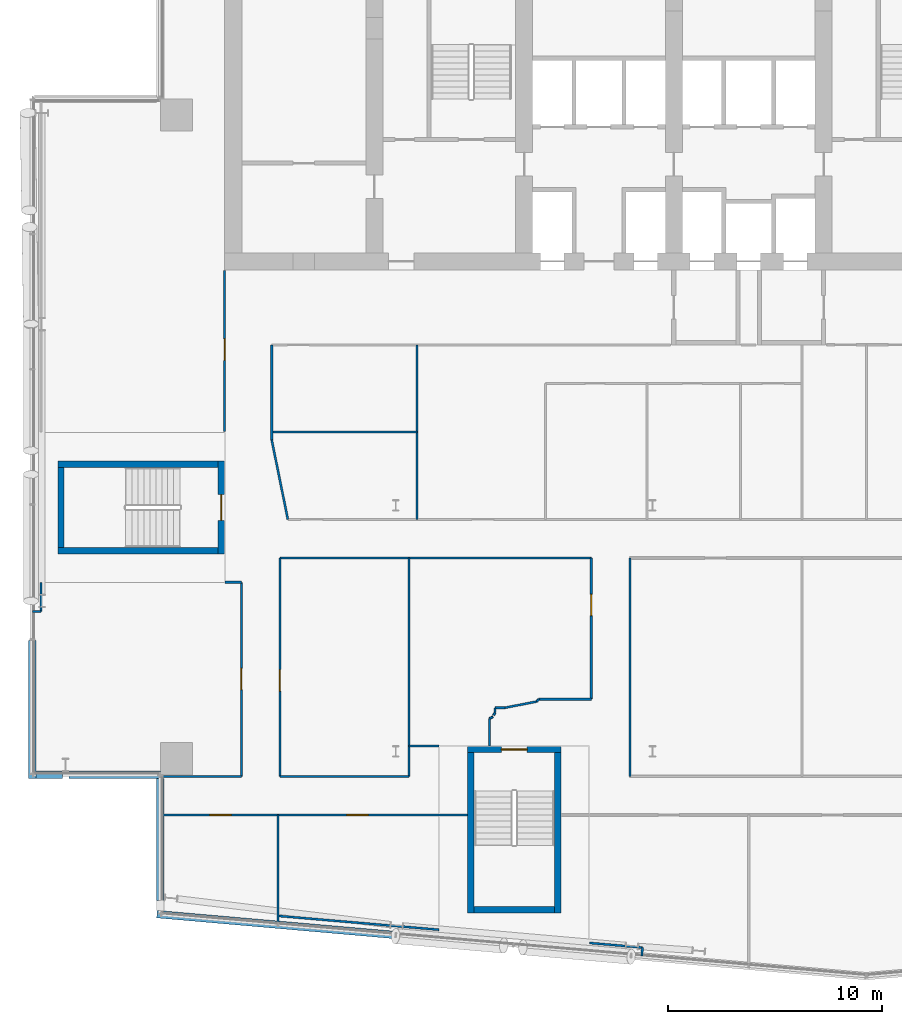
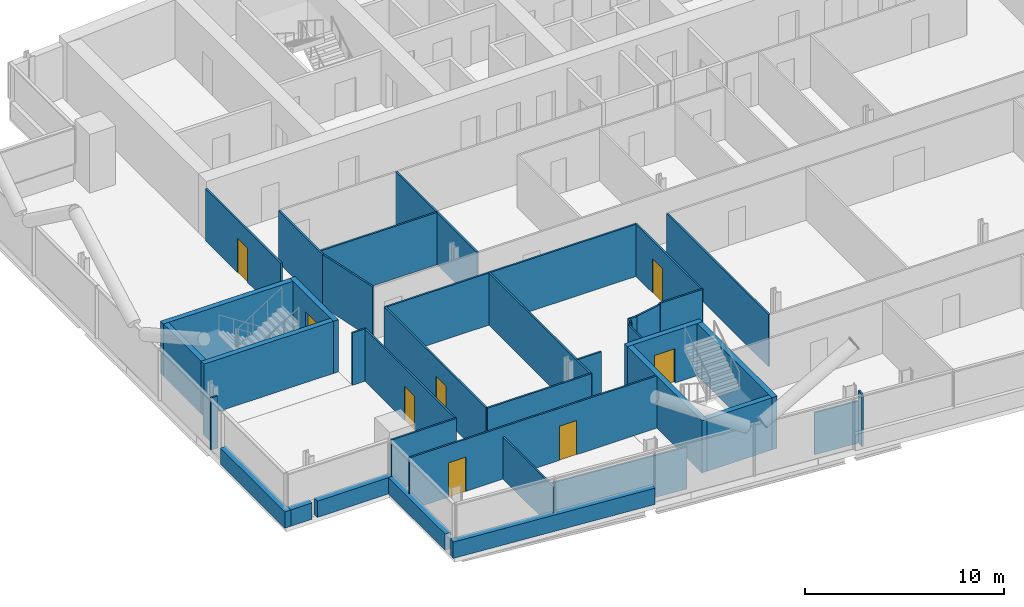
# One storey, part 14 of 27: 43 walls, 8 doors, 8 openings.
"""IFC4 building model written with IfcOpenShell, lengths in metres."""

from ifc_helpers import new_model, si_unit, direction, frame, frame_2d, origin, place, context, subcontext, project, spatial, rectangle, extrude, material, layer, layer_set, type_object, element, fill, save


model = new_model("IFC4")

# Units and contexts
model_context = context("Model", 3, precision=1e-05, world=origin(), true_north=direction((0.0, 1.0)))
body_context = subcontext(model_context, "Body", "Model", "MODEL_VIEW")
ifc_project = project(units=[si_unit("LENGTHUNIT", "METRE"), si_unit("AREAUNIT", "SQUARE_METRE"), si_unit("VOLUMEUNIT", "CUBIC_METRE"), si_unit("PLANEANGLEUNIT", "RADIAN"), si_unit("MASSUNIT", "GRAM", prefix="KILO")], contexts=[model_context])

# Site, building, storey
site_placement = place(None, origin())
site = spatial("IfcSite", under=ifc_project, at=site_placement, CompositionType="ELEMENT")
building_placement = place(site_placement, origin())
building = spatial("IfcBuilding", under=site, at=building_placement, Name="Wharfspan Tower", CompositionType="ELEMENT")
storey_placement = place(building_placement, frame((0.0, 0.0, 195.100098)))
storey = spatial("IfcBuildingStorey", under=building, at=storey_placement, Name="L48", CompositionType="ELEMENT", Elevation=195.100098)

# Wall, openings, doors
ifc_material_1 = material(Name="Gypsum board on steel studs", Category="steel")
ifc_layer_1 = layer(ifc_material_1, 0.100098)
ifc_layer_set_1 = layer_set([ifc_layer_1], Name="Gypsum board on steel studs")
wall_type_1 = type_object("IfcWallType", Name="Compartment wall 100 EI 60", PredefinedType="PARTITIONING", material=ifc_layer_set_1)
wall_1_placement = place(storey_placement, frame((13.02002, 8.52002, 0.0), z_axis=(0.0, 0.0, 1.0), x_axis=(1.0, 0.0, 0.0)))
wall_1 = element("IfcWall", 1, at=wall_1_placement, inside=storey, type_object=wall_type_1, Name="Partition L48.w004", PredefinedType="PARTITIONING", context=body_context, shape_type="SweptSolid", body=[
    extrude(rectangle(XDim=14.344238, YDim=0.100098, at=frame_2d((7.172119, 0.0))), origin(), (0.0, 0.0, 1.0), 3.199951),
])
opening_1_placement = place(wall_1_placement, frame((2.280029, 0.0, 0.0)))
opening_1 = element("IfcOpeningElement", 2, at=opening_1_placement, cuts=wall_1, Name="Opening C6-01", PredefinedType="OPENING", context=body_context, shape_type="SweptSolid", body=[
    extrude(rectangle(XDim=1.0, YDim=2.100098, at=frame_2d((0.5, 1.050049))), frame((0.0, 0.060059, 0.0), z_axis=(0.0, -1.0, 0.0), x_axis=(1.0, 0.0, 0.0)), (0.0, 0.0, 1.0), 0.120117),
])
opening_2_placement = place(wall_1_placement, frame((8.699951, 0.0, 0.0)))
opening_2 = element("IfcOpeningElement", 3, at=opening_2_placement, cuts=wall_1, Name="Opening C6-02", PredefinedType="OPENING", context=body_context, shape_type="SweptSolid", body=[
    extrude(rectangle(XDim=1.0, YDim=2.100098, at=frame_2d((0.5, 1.050049))), frame((0.0, 0.060059, 0.0), z_axis=(0.0, -1.0, 0.0), x_axis=(1.0, 0.0, 0.0)), (0.0, 0.0, 1.0), 0.120117),
])
ifc_material_2 = material(Name="Fire-rated timber door leaf in steel frame", Category="steel")
door_type_1 = type_object("IfcDoorType", Name="Door 1000 FD30S Left", OperationType="SINGLE_SWING_LEFT", PredefinedType="DOOR", material=ifc_material_2)
door_1_placement = place(opening_1_placement, origin())
door_1 = element("IfcDoor", 4, at=door_1_placement, inside=storey, type_object=door_type_1, Name="Door C6-01", OperationType="SINGLE_SWING_LEFT", OverallHeight=2.100098, OverallWidth=1.0, PredefinedType="DOOR", context=body_context, shape_type="SweptSolid", body=[
    extrude(rectangle(XDim=1.0, YDim=2.100098, at=frame_2d((0.5, 1.050049))), frame((0.0, 0.024902, 0.0), z_axis=(0.0, -1.0, 0.0), x_axis=(1.0, 0.0, 0.0)), (0.0, 0.0, 1.0), 0.050049),
])
fill(opening_1, door_1)
door_type_2 = type_object("IfcDoorType", Name="Door 1000 FD30S Right", OperationType="SINGLE_SWING_RIGHT", PredefinedType="DOOR", material=ifc_material_2)
door_2_placement = place(opening_2_placement, origin())
door_2 = element("IfcDoor", 5, at=door_2_placement, inside=storey, type_object=door_type_2, Name="Door C6-02", OperationType="SINGLE_SWING_RIGHT", OverallHeight=2.100098, OverallWidth=1.0, PredefinedType="DOOR", context=body_context, shape_type="SweptSolid", body=[
    extrude(rectangle(XDim=1.0, YDim=2.100098, at=frame_2d((0.5, 1.050049))), frame((0.0, 0.024902, 0.0), z_axis=(0.0, -1.0, 0.0), x_axis=(1.0, 0.0, 0.0)), (0.0, 0.0, 1.0), 0.050049),
])
fill(opening_2, door_2)

# Wall
wall_2_placement = place(storey_placement, frame((13.02002, 10.324951, 0.0), z_axis=(0.0, 0.0, 1.0), x_axis=(1.0, 0.0, 0.0)))
element("IfcWall", 6, at=wall_2_placement, inside=storey, type_object=wall_type_1, Name="Partition L48.w005", PredefinedType="PARTITIONING", context=body_context, shape_type="SweptSolid", body=[
    extrude(rectangle(XDim=3.764893, YDim=0.100098, at=frame_2d((1.882324, 0.0))), origin(), (0.0, 0.0, 1.0), 3.199951),
])

# Wall, opening, door
wall_3_placement = place(storey_placement, frame((16.0, 26.449951, 0.0), z_axis=(0.0, 0.0, 1.0), x_axis=(0.0, 1.0, 0.0)))
wall_3 = element("IfcWall", 7, at=wall_3_placement, inside=storey, type_object=wall_type_1, Name="Partition L48.w006", PredefinedType="PARTITIONING", context=body_context, shape_type="SweptSolid", body=[
    extrude(rectangle(XDim=7.530029, YDim=0.100098, at=frame_2d((3.765137, 0.0))), origin(), (0.0, 0.0, 1.0), 3.199951),
])
opening_3_placement = place(wall_3_placement, frame((3.330078, 0.0, 0.0)))
opening_3 = element("IfcOpeningElement", 8, at=opening_3_placement, cuts=wall_3, Name="Opening C6-23", PredefinedType="OPENING", context=body_context, shape_type="SweptSolid", body=[
    extrude(rectangle(XDim=1.0, YDim=2.100098, at=frame_2d((0.5, 1.050049))), frame((0.0, 0.060059, 0.0), z_axis=(0.0, -1.0, 0.0), x_axis=(1.0, 0.0, 0.0)), (0.0, 0.0, 1.0), 0.120117),
])
door_3_placement = place(opening_3_placement, origin())
door_3 = element("IfcDoor", 9, at=door_3_placement, inside=storey, type_object=door_type_2, Name="Door C6-23", OperationType="SINGLE_SWING_RIGHT", OverallHeight=2.100098, OverallWidth=1.0, PredefinedType="DOOR", context=body_context, shape_type="SweptSolid", body=[
    extrude(rectangle(XDim=1.0, YDim=2.100098, at=frame_2d((0.5, 1.050049))), frame((0.0, 0.024902, 0.0), z_axis=(0.0, -1.0, 0.0), x_axis=(1.0, 0.0, 0.0)), (0.0, 0.0, 1.0), 0.050049),
])
fill(opening_3, door_3)

# Wall
wall_4_placement = place(storey_placement, frame((16.02002, 19.399902, 0.0), z_axis=(0.0, 0.0, 1.0), x_axis=(1.0, 0.0, 0.0)))
element("IfcWall", 10, at=wall_4_placement, inside=storey, type_object=wall_type_1, Name="Partition L48.w007", PredefinedType="PARTITIONING", context=body_context, shape_type="SweptSolid", body=[
    extrude(rectangle(XDim=0.764893, YDim=0.100098, at=frame_2d((0.382324, 0.0))), origin(), (0.0, 0.0, 1.0), 3.199951),
])

# Wall, opening, door
wall_5_placement = place(storey_placement, frame((16.784912, 10.324951, 0.0), z_axis=(0.0, 0.0, 1.0), x_axis=(0.0, 1.0, 0.0)))
wall_5 = element("IfcWall", 11, at=wall_5_placement, inside=storey, type_object=wall_type_1, Name="Partition L48.w008", PredefinedType="PARTITIONING", context=body_context, shape_type="SweptSolid", body=[
    extrude(rectangle(XDim=9.074951, YDim=0.100098, at=frame_2d((4.537598, 0.0))), origin(), (0.0, 0.0, 1.0), 3.199951),
])
opening_4_placement = place(wall_5_placement, frame((4.054932, 0.0, 0.0)))
opening_4 = element("IfcOpeningElement", 12, at=opening_4_placement, cuts=wall_5, Name="Opening C6-13", PredefinedType="OPENING", context=body_context, shape_type="SweptSolid", body=[
    extrude(rectangle(XDim=1.0, YDim=2.100098, at=frame_2d((0.5, 1.050049))), frame((0.0, 0.060059, 0.0), z_axis=(0.0, -1.0, 0.0), x_axis=(1.0, 0.0, 0.0)), (0.0, 0.0, 1.0), 0.120117),
])
door_4_placement = place(opening_4_placement, origin())
door_4 = element("IfcDoor", 13, at=door_4_placement, inside=storey, type_object=door_type_2, Name="Door C6-13", OperationType="SINGLE_SWING_RIGHT", OverallHeight=2.100098, OverallWidth=1.0, PredefinedType="DOOR", context=body_context, shape_type="SweptSolid", body=[
    extrude(rectangle(XDim=1.0, YDim=2.100098, at=frame_2d((0.5, 1.050049))), frame((0.0, 0.024902, 0.0), z_axis=(0.0, -1.0, 0.0), x_axis=(1.0, 0.0, 0.0)), (0.0, 0.0, 1.0), 0.050049),
])
fill(opening_4, door_4)

# Walls
wall_6_placement = place(storey_placement, frame((18.199951, 26.060059, 0.0), z_axis=(0.0, 0.0, 1.0), x_axis=(0.0, 1.0, 0.0)))
element("IfcWall", 14, at=wall_6_placement, inside=storey, type_object=wall_type_1, Name="Partition L48.w009", PredefinedType="PARTITIONING", context=body_context, shape_type="SweptSolid", body=[
    extrude(rectangle(XDim=4.439941, YDim=0.100098, at=frame_2d((2.219971, 0.0))), origin(), (0.0, 0.0, 1.0), 3.199951),
])
wall_7_placement = place(storey_placement, frame((18.199951, 26.419922, 0.0), z_axis=(0.0, 0.0, 1.0), x_axis=(1.0, 0.0, 0.0)))
element("IfcWall", 15, at=wall_7_placement, inside=storey, type_object=wall_type_1, Name="Partition L48.w010", PredefinedType="PARTITIONING", context=body_context, shape_type="SweptSolid", body=[
    extrude(rectangle(XDim=6.800049, YDim=0.100098, at=frame_2d((3.399902, 0.0))), origin(), (0.0, 0.0, 1.0), 3.199951),
])
wall_8_placement = place(storey_placement, frame((18.5, 3.425049, 0.0), z_axis=(0.0, 0.0, 1.0), x_axis=(0.0, 1.0, 0.0)))
element("IfcWall", 16, at=wall_8_placement, inside=storey, type_object=wall_type_1, Name="Partition L48.w012", PredefinedType="PARTITIONING", context=body_context, shape_type="SweptSolid", body=[
    extrude(rectangle(XDim=5.094971, YDim=0.100098, at=frame_2d((2.547363, 0.0))), origin(), (0.0, 0.0, 1.0), 2.579834),
])

# Wall, opening, door
wall_9_placement = place(storey_placement, frame((18.584961, 10.324951, 0.0), z_axis=(0.0, 0.0, 1.0), x_axis=(0.0, 1.0, 0.0)))
wall_9 = element("IfcWall", 17, at=wall_9_placement, inside=storey, type_object=wall_type_1, Name="Partition L48.w014", PredefinedType="PARTITIONING", context=body_context, shape_type="SweptSolid", body=[
    extrude(rectangle(XDim=10.209961, YDim=0.100098, at=frame_2d((5.10498, 0.0))), origin(), (0.0, 0.0, 1.0), 3.199951),
])
opening_5_placement = place(wall_9_placement, frame((3.98999, 0.0, 0.0)))
opening_5 = element("IfcOpeningElement", 18, at=opening_5_placement, cuts=wall_9, Name="Opening C6-12", PredefinedType="OPENING", context=body_context, shape_type="SweptSolid", body=[
    extrude(rectangle(XDim=1.0, YDim=2.100098, at=frame_2d((0.5, 1.050049))), frame((0.0, 0.060059, 0.0), z_axis=(0.0, -1.0, 0.0), x_axis=(1.0, 0.0, 0.0)), (0.0, 0.0, 1.0), 0.120117),
])
door_5_placement = place(opening_5_placement, origin())
door_5 = element("IfcDoor", 19, at=door_5_placement, inside=storey, type_object=door_type_1, Name="Door C6-12", OperationType="SINGLE_SWING_LEFT", OverallHeight=2.100098, OverallWidth=1.0, PredefinedType="DOOR", context=body_context, shape_type="SweptSolid", body=[
    extrude(rectangle(XDim=1.0, YDim=2.100098, at=frame_2d((0.5, 1.050049))), frame((0.0, 0.024902, 0.0), z_axis=(0.0, -1.0, 0.0), x_axis=(1.0, 0.0, 0.0)), (0.0, 0.0, 1.0), 0.050049),
])
fill(opening_5, door_5)

# Walls
wall_10_placement = place(storey_placement, frame((18.584961, 10.324951, 0.0), z_axis=(0.0, 0.0, 1.0), x_axis=(1.0, 0.0, 0.0)))
element("IfcWall", 20, at=wall_10_placement, inside=storey, type_object=wall_type_1, Name="Partition L48.w015", PredefinedType="PARTITIONING", context=body_context, shape_type="SweptSolid", body=[
    extrude(rectangle(XDim=6.030029, YDim=0.100098, at=frame_2d((3.015137, 0.0))), origin(), (0.0, 0.0, 1.0), 3.199951),
])
wall_11_placement = place(storey_placement, frame((18.584961, 20.534912, 0.0), z_axis=(0.0, 0.0, 1.0), x_axis=(1.0, 0.0, 0.0)))
element("IfcWall", 21, at=wall_11_placement, inside=storey, type_object=wall_type_1, Name="Partition L48.w016", PredefinedType="PARTITIONING", context=body_context, shape_type="SweptSolid", body=[
    extrude(rectangle(XDim=14.554932, YDim=0.100098, at=frame_2d((7.277344, 0.0))), origin(), (0.0, 0.0, 1.0), 3.199951),
])
wall_12_placement = place(storey_placement, frame((18.955078, 22.340088, 0.0), z_axis=(0.0, 0.0, 1.0), x_axis=(-0.198935, 0.980011, 0.0)))
element("IfcWall", 22, at=wall_12_placement, inside=storey, type_object=wall_type_1, Name="Partition L48.w017", PredefinedType="PARTITIONING", context=body_context, shape_type="SweptSolid", body=[
    extrude(rectangle(XDim=3.795898, YDim=0.100098, at=frame_2d((1.897949, 0.0))), origin(), (0.0, 0.0, 1.0), 3.199951),
])
wall_13_placement = place(storey_placement, frame((24.61499, 10.324951, 0.0), z_axis=(0.0, 0.0, 1.0), x_axis=(0.0, 1.0, 0.0)))
element("IfcWall", 23, at=wall_13_placement, inside=storey, type_object=wall_type_1, Name="Partition L48.w019", PredefinedType="PARTITIONING", context=body_context, shape_type="SweptSolid", body=[
    extrude(rectangle(XDim=10.209961, YDim=0.100098, at=frame_2d((5.10498, 0.0))), origin(), (0.0, 0.0, 1.0), 3.199951),
])
wall_14_placement = place(storey_placement, frame((24.620117, 11.745117, 0.0), z_axis=(0.0, 0.0, 1.0), x_axis=(1.0, 0.0, 0.0)))
element("IfcWall", 24, at=wall_14_placement, inside=storey, type_object=wall_type_1, Name="Partition L48.w020", PredefinedType="PARTITIONING", context=body_context, shape_type="SweptSolid", body=[
    extrude(rectangle(XDim=1.406738, YDim=0.100098, at=frame_2d((0.703369, 0.0))), origin(), (0.0, 0.0, 1.0), 3.199951),
])
wall_15_placement = place(storey_placement, frame((25.0, 22.340088, 0.0), z_axis=(0.0, 0.0, 1.0), x_axis=(0.0, 1.0, 0.0)))
element("IfcWall", 25, at=wall_15_placement, inside=storey, type_object=wall_type_1, Name="Partition L48.w021", PredefinedType="PARTITIONING", context=body_context, shape_type="SweptSolid", body=[
    extrude(rectangle(XDim=8.159912, YDim=0.100098, at=frame_2d((4.080078, 0.0))), origin(), (0.0, 0.0, 1.0), 3.199951),
])
wall_16_placement = place(storey_placement, frame((28.389893, 13.034912, 0.0), z_axis=(0.0, 0.0, 1.0), x_axis=(0.900411, 0.435047, 0.0)))
element("IfcWall", 26, at=wall_16_placement, inside=storey, type_object=wall_type_1, Name="Partition L48.w023", PredefinedType="PARTITIONING", context=body_context, shape_type="SweptSolid", body=[
    extrude(rectangle(XDim=0.161133, YDim=0.100098, at=frame_2d((0.080566, 0.0))), origin(), (0.0, 0.0, 1.0), 3.199951),
])
wall_17_placement = place(storey_placement, frame((28.389893, 11.754395, 0.0), z_axis=(0.0, 0.0, 1.0), x_axis=(0.0, 1.0, 0.0)))
element("IfcWall", 27, at=wall_17_placement, inside=storey, type_object=wall_type_1, Name="Partition L48.w024", PredefinedType="PARTITIONING", context=body_context, shape_type="SweptSolid", body=[
    extrude(rectangle(XDim=1.280518, YDim=0.100098, at=frame_2d((0.640137, 0.0))), origin(), (0.0, 0.0, 1.0), 3.199951),
])
wall_18_placement = place(storey_placement, frame((28.574951, 13.185059, 0.0), z_axis=(0.0, 0.0, 1.0), x_axis=(0.461027, 0.88739, 0.0)))
element("IfcWall", 28, at=wall_18_placement, inside=storey, type_object=wall_type_1, Name="Partition L48.w025", PredefinedType="PARTITIONING", context=body_context, shape_type="SweptSolid", body=[
    extrude(rectangle(XDim=0.140869, YDim=0.100098, at=frame_2d((0.070312, 0.0))), origin(), (0.0, 0.0, 1.0), 3.199951),
])
wall_19_placement = place(storey_placement, frame((28.639893, 13.310059, 0.0), z_axis=(0.0, 0.0, 1.0), x_axis=(0.0, 1.0, 0.0)))
element("IfcWall", 29, at=wall_19_placement, inside=storey, type_object=wall_type_1, Name="Partition L48.w026", PredefinedType="PARTITIONING", context=body_context, shape_type="SweptSolid", body=[
    extrude(rectangle(XDim=0.224854, YDim=0.100098, at=frame_2d((0.112305, 0.0))), origin(), (0.0, 0.0, 1.0), 3.199951),
])
wall_20_placement = place(storey_placement, frame((28.639893, 13.534912, 0.0), z_axis=(0.0, 0.0, 1.0), x_axis=(1.0, 0.0, 0.0)))
element("IfcWall", 30, at=wall_20_placement, inside=storey, type_object=wall_type_1, Name="Partition L48.w027", PredefinedType="PARTITIONING", context=body_context, shape_type="SweptSolid", body=[
    extrude(rectangle(XDim=0.460205, YDim=0.100098, at=frame_2d((0.22998, 0.0))), origin(), (0.0, 0.0, 1.0), 3.199951),
])
wall_21_placement = place(storey_placement, frame((29.100098, 13.534912, 0.0), z_axis=(0.0, 0.0, 1.0), x_axis=(0.981576, 0.191072, 0.0)))
element("IfcWall", 31, at=wall_21_placement, inside=storey, type_object=wall_type_1, Name="Partition L48.w028", PredefinedType="PARTITIONING", context=body_context, shape_type="SweptSolid", body=[
    extrude(rectangle(XDim=1.518066, YDim=0.100098, at=frame_2d((0.759033, 0.0))), origin(), (0.0, 0.0, 1.0), 3.199951),
])
wall_22_placement = place(storey_placement, frame((30.590088, 13.824951, 0.0), z_axis=(0.0, 0.0, 1.0), x_axis=(0.671773, 0.740757, 0.0)))
element("IfcWall", 32, at=wall_22_placement, inside=storey, type_object=wall_type_1, Name="Partition L48.w029", PredefinedType="PARTITIONING", context=body_context, shape_type="SweptSolid", body=[
    extrude(rectangle(XDim=0.148682, YDim=0.100098, at=frame_2d((0.074219, 0.0))), origin(), (0.0, 0.0, 1.0), 3.199951),
])
wall_23_placement = place(storey_placement, frame((30.689941, 13.935059, 0.0), z_axis=(0.0, 0.0, 1.0), x_axis=(1.0, 0.0, 0.0)))
element("IfcWall", 33, at=wall_23_placement, inside=storey, type_object=wall_type_1, Name="Partition L48.w030", PredefinedType="PARTITIONING", context=body_context, shape_type="SweptSolid", body=[
    extrude(rectangle(XDim=2.449951, YDim=0.100098, at=frame_2d((1.225098, 0.0))), origin(), (0.0, 0.0, 1.0), 3.199951),
])

# Wall, opening, door
wall_24_placement = place(storey_placement, frame((33.139893, 13.935059, 0.0), z_axis=(0.0, 0.0, 1.0), x_axis=(0.0, 1.0, 0.0)))
wall_24 = element("IfcWall", 34, at=wall_24_placement, inside=storey, type_object=wall_type_1, Name="Partition L48.w034", PredefinedType="PARTITIONING", context=body_context, shape_type="SweptSolid", body=[
    extrude(rectangle(XDim=6.599854, YDim=0.100098, at=frame_2d((3.299805, 0.0))), origin(), (0.0, 0.0, 1.0), 3.199951),
])
opening_6_placement = place(wall_24_placement, frame((3.905029, 0.0, 0.0)))
opening_6 = element("IfcOpeningElement", 35, at=opening_6_placement, cuts=wall_24, Name="Opening C6-14", PredefinedType="OPENING", context=body_context, shape_type="SweptSolid", body=[
    extrude(rectangle(XDim=1.0, YDim=2.100098, at=frame_2d((0.5, 1.050049))), frame((0.0, 0.060059, 0.0), z_axis=(0.0, -1.0, 0.0), x_axis=(1.0, 0.0, 0.0)), (0.0, 0.0, 1.0), 0.120117),
])
door_6_placement = place(opening_6_placement, origin())
door_6 = element("IfcDoor", 36, at=door_6_placement, inside=storey, type_object=door_type_2, Name="Door C6-14", OperationType="SINGLE_SWING_RIGHT", OverallHeight=2.100098, OverallWidth=1.0, PredefinedType="DOOR", context=body_context, shape_type="SweptSolid", body=[
    extrude(rectangle(XDim=1.0, YDim=2.100098, at=frame_2d((0.5, 1.050049))), frame((0.0, 0.024902, 0.0), z_axis=(0.0, -1.0, 0.0), x_axis=(1.0, 0.0, 0.0)), (0.0, 0.0, 1.0), 0.050049),
])
fill(opening_6, door_6)

# Walls
wall_25_placement = place(storey_placement, frame((34.945068, 10.324951, 0.0), z_axis=(0.0, 0.0, 1.0), x_axis=(0.0, 1.0, 0.0)))
element("IfcWall", 37, at=wall_25_placement, inside=storey, type_object=wall_type_1, Name="Partition L48.w035", PredefinedType="PARTITIONING", context=body_context, shape_type="SweptSolid", body=[
    extrude(rectangle(XDim=10.209961, YDim=0.100098, at=frame_2d((5.10498, 0.0))), origin(), (0.0, 0.0, 1.0), 3.199951),
])
ifc_layer_2 = layer(ifc_material_1, 0.100098)
ifc_layer_set_2 = layer_set([ifc_layer_2], Name="Gypsum board on steel studs")
wall_type_2 = type_object("IfcWallType", Name="Partition 100", PredefinedType="PARTITIONING", material=ifc_layer_set_2)
wall_26_placement = place(storey_placement, frame((7.02002, 18.034912, 0.0), z_axis=(0.0, 0.0, 1.0), x_axis=(1.0, 0.0, 0.0)))
element("IfcWall", 38, at=wall_26_placement, inside=storey, type_object=wall_type_2, Name="Partition L48.w001", PredefinedType="PARTITIONING", context=body_context, shape_type="SweptSolid", body=[
    extrude(rectangle(XDim=0.399902, YDim=0.100098, at=frame_2d((0.199951, 0.0))), origin(), (0.0, 0.0, 1.0), 3.199951),
])
wall_27_placement = place(storey_placement, frame((7.419922, 18.034912, 0.0), z_axis=(0.0, 0.0, 1.0), x_axis=(0.0, 1.0, 0.0)))
element("IfcWall", 39, at=wall_27_placement, inside=storey, type_object=wall_type_2, Name="Partition L48.w002", PredefinedType="PARTITIONING", context=body_context, shape_type="SweptSolid", body=[
    extrude(rectangle(XDim=1.344971, YDim=0.100098, at=frame_2d((0.672363, 0.0))), origin(), (0.0, 0.0, 1.0), 2.579834),
])
wall_28_placement = place(storey_placement, frame((26.019287, 3.156738, 0.0), z_axis=(0.0, 0.0, 1.0), x_axis=(-0.996318, 0.085696, 0.0)))
element("IfcWall", 40, at=wall_28_placement, inside=storey, type_object=wall_type_2, Name="Partition L48.w022", PredefinedType="PARTITIONING", context=body_context, shape_type="SweptSolid", body=[
    extrude(rectangle(XDim=7.506836, YDim=0.100098, at=frame_2d((3.753418, 0.0))), origin(), (0.0, 0.0, 1.0), 2.579834),
])
wall_29_placement = place(storey_placement, frame((35.501709, 1.926514, 0.0), z_axis=(0.0, 0.0, 1.0), x_axis=(0.083045, 0.996542, 0.0)))
element("IfcWall", 41, at=wall_29_placement, inside=storey, type_object=wall_type_2, Name="Partition L48.w038", PredefinedType="PARTITIONING", context=body_context, shape_type="SweptSolid", body=[
    extrude(rectangle(XDim=0.399902, YDim=0.100098, at=frame_2d((0.199951, 0.0))), origin(), (0.0, 0.0, 1.0), 3.199951),
])
wall_30_placement = place(storey_placement, frame((35.534912, 2.324951, 0.0), z_axis=(0.0, 0.0, 1.0), x_axis=(-0.996311, 0.085867, 0.0)))
element("IfcWall", 42, at=wall_30_placement, inside=storey, type_object=wall_type_2, Name="Partition L48.w039", PredefinedType="PARTITIONING", context=body_context, shape_type="SweptSolid", body=[
    extrude(rectangle(XDim=2.485107, YDim=0.100098, at=frame_2d((1.242676, 0.0))), origin(), (0.0, 0.0, 1.0), 2.579834),
])
ifc_material_3 = material(Name="Concrete C40/50", Category="concrete")
ifc_layer_3 = layer(ifc_material_3, 0.350098)
ifc_layer_set_3 = layer_set([ifc_layer_3], Name="Concrete C40/50")
wall_type_3 = type_object("IfcWallType", Name="SPANDREL EXPOSED CONCRETE 350", PredefinedType="SOLIDWALL", material=ifc_layer_set_3)
wall_31_placement = place(storey_placement, frame((12.835205, 3.884521, 0.0), z_axis=(0.0, 0.0, 1.0), x_axis=(0.996199, -0.087154, 0.0)))
element("IfcWall", 43, at=wall_31_placement, inside=storey, type_object=wall_type_3, Name="Spandrel upstand L48 S1 1", PredefinedType="SOLIDWALL", context=body_context, shape_type="SweptSolid", body=[
    extrude(rectangle(XDim=11.177002, YDim=0.350098, at=frame_2d((5.588379, 0.0))), origin(), (0.0, 0.0, 1.0), 1.0),
])
wall_32_placement = place(storey_placement, frame((6.995117, 16.689941, 0.0), z_axis=(0.0, 0.0, 1.0), x_axis=(0.0, -1.0, 0.0)))
element("IfcWall", 44, at=wall_32_placement, inside=storey, type_object=wall_type_3, Name="Spandrel upstand L48 W", PredefinedType="SOLIDWALL", context=body_context, shape_type="SweptSolid", body=[
    extrude(rectangle(XDim=6.469971, YDim=0.350098, at=frame_2d((3.234863, 0.0))), origin(), (0.0, 0.0, 1.0), 1.0),
])
wall_33_placement = place(storey_placement, frame((7.169922, 10.39502, 0.0), z_axis=(0.0, 0.0, 1.0), x_axis=(1.0, 0.0, 0.0)))
element("IfcWall", 45, at=wall_33_placement, inside=storey, type_object=wall_type_3, Name="Spandrel upstand L48 NFW-H", PredefinedType="SOLIDWALL", context=body_context, shape_type="SweptSolid", body=[
    extrude(rectangle(XDim=1.238281, YDim=0.350098, at=frame_2d((0.619141, 0.0))), origin(), (0.0, 0.0, 1.0), 1.0),
])
wall_34_placement = place(storey_placement, frame((8.713379, 10.39502, 0.0), z_axis=(0.0, 0.0, 1.0), x_axis=(1.0, 0.0, 0.0)))
element("IfcWall", 46, at=wall_34_placement, inside=storey, type_object=wall_type_3, Name="Spandrel upstand L48 NFW-H 2", PredefinedType="SOLIDWALL", context=body_context, shape_type="SweptSolid", body=[
    extrude(rectangle(XDim=4.286621, YDim=0.350098, at=frame_2d((2.143311, 0.0))), origin(), (0.0, 0.0, 1.0), 1.0),
])
wall_35_placement = place(storey_placement, frame((12.995117, 10.219971, 0.0), z_axis=(0.0, 0.0, 1.0), x_axis=(0.0, -1.0, 0.0)))
element("IfcWall", 47, at=wall_35_placement, inside=storey, type_object=wall_type_3, Name="Spandrel upstand L48 NFW-V", PredefinedType="SOLIDWALL", context=body_context, shape_type="SweptSolid", body=[
    extrude(rectangle(XDim=5.693359, YDim=0.350098, at=frame_2d((2.84668, 0.0))), origin(), (0.0, 0.0, 1.0), 1.0),
])

# Wall, opening, door
ifc_layer_4 = layer(ifc_material_3, 0.300049)
ifc_layer_set_4 = layer_set([ifc_layer_4], Name="Concrete C40/50")
wall_type_4 = type_object("IfcWallType", Name="Stair core wall 300", PredefinedType="SHEAR", material=ifc_layer_set_4)
wall_36_placement = place(storey_placement, frame((15.850098, 20.725098, 0.0), z_axis=(0.0, 0.0, 1.0), x_axis=(0.0, 1.0, 0.0)))
wall_36 = element("IfcWall", 48, at=wall_36_placement, inside=storey, type_object=wall_type_4, Name="ST3 stair enclosure wall L48", PredefinedType="SHEAR", context=body_context, shape_type="SweptSolid", body=[
    extrude(rectangle(XDim=4.349854, YDim=0.300049, at=frame_2d((2.174805, 0.0))), origin(), (0.0, 0.0, 1.0), 3.199951),
])
opening_7_placement = place(wall_36_placement, frame((1.574951, 0.0, 0.0)))
opening_7 = element("IfcOpeningElement", 49, at=opening_7_placement, cuts=wall_36, Name="Opening SD3.L48", PredefinedType="OPENING", context=body_context, shape_type="SweptSolid", body=[
    extrude(rectangle(XDim=1.199951, YDim=2.100098, at=frame_2d((0.600098, 1.050049))), frame((0.0, 0.159912, 0.0), z_axis=(0.0, -1.0, 0.0), x_axis=(1.0, 0.0, 0.0)), (0.0, 0.0, 1.0), 0.320068),
])
ifc_material_4 = material(Name="Steel door leaf", Category="steel")
door_type_3 = type_object("IfcDoorType", Name="Stair door 1200x2100", OperationType="SINGLE_SWING_LEFT", PredefinedType="DOOR", material=ifc_material_4)
door_7_placement = place(opening_7_placement, origin())
door_7 = element("IfcDoor", 50, at=door_7_placement, inside=storey, type_object=door_type_3, Name="sd:L48:ST3z3", OperationType="SINGLE_SWING_RIGHT", OverallHeight=2.100098, OverallWidth=1.199951, PredefinedType="DOOR", context=body_context, shape_type="SweptSolid", body=[
    extrude(rectangle(XDim=1.199951, YDim=2.100098, at=frame_2d((0.600098, 1.050049))), frame((0.0, 0.024902, 0.0), z_axis=(0.0, -1.0, 0.0), x_axis=(1.0, 0.0, 0.0)), (0.0, 0.0, 1.0), 0.050049),
])
fill(opening_7, door_7)

wall_37_placement = place(storey_placement, frame((27.364258, 11.584229, 0.0), z_axis=(0.0, 0.0, 1.0), x_axis=(1.0, 0.0, 0.0)))
wall_37 = element("IfcWall", 51, at=wall_37_placement, inside=storey, type_object=wall_type_4, Name="ST4 stair enclosure wall L48", PredefinedType="SHEAR", context=body_context, shape_type="SweptSolid", body=[
    extrude(rectangle(XDim=4.349854, YDim=0.300049, at=frame_2d((2.174805, 0.0))), origin(), (0.0, 0.0, 1.0), 3.199951),
])
opening_8_placement = place(wall_37_placement, frame((1.574951, 0.0, 0.0)))
opening_8 = element("IfcOpeningElement", 52, at=opening_8_placement, cuts=wall_37, Name="Opening SD4.L48", PredefinedType="OPENING", context=body_context, shape_type="SweptSolid", body=[
    extrude(rectangle(XDim=1.199951, YDim=2.100098, at=frame_2d((0.600098, 1.050049))), frame((0.0, 0.159912, 0.0), z_axis=(0.0, -1.0, 0.0), x_axis=(1.0, 0.0, 0.0)), (0.0, 0.0, 1.0), 0.320068),
])
door_8_placement = place(opening_8_placement, origin())
door_8 = element("IfcDoor", 53, at=door_8_placement, inside=storey, type_object=door_type_3, Name="sd:L48:ST4z3", OperationType="SINGLE_SWING_RIGHT", OverallHeight=2.100098, OverallWidth=1.199951, PredefinedType="DOOR", context=body_context, shape_type="SweptSolid", body=[
    extrude(rectangle(XDim=1.199951, YDim=2.100098, at=frame_2d((0.600098, 1.050049))), frame((0.0, 0.024902, 0.0), z_axis=(0.0, -1.0, 0.0), x_axis=(1.0, 0.0, 0.0)), (0.0, 0.0, 1.0), 0.050049),
])
fill(opening_8, door_8)

# Walls
for number, where, z_axis, x_axis, name in (
    (54, (8.199951, 20.875, 0.0), (0.0, 0.0, 1.0), (1.0, 0.0, 0.0), "ST3 stair enclosure wall L48"),
    (55, (8.199951, 24.925049, 0.0), (0.0, 0.0, 1.0), (1.0, 0.0, 0.0), "ST3 stair enclosure wall L48"),
):
    element("IfcWall", number, at=place(storey_placement, frame(where, z_axis=z_axis, x_axis=x_axis)), inside=storey, type_object=wall_type_4, Name=name, PredefinedType="SHEAR", context=body_context, shape_type="SweptSolid", body=[
        extrude(rectangle(XDim=7.5, YDim=0.300049, at=frame_2d((3.75, 0.0))), origin(), (0.0, 0.0, 1.0), 3.199951),
    ])
wall_38_placement = place(storey_placement, frame((8.350098, 21.024902, 0.0), z_axis=(0.0, 0.0, 1.0), x_axis=(0.0, 1.0, 0.0)))
element("IfcWall", 56, at=wall_38_placement, inside=storey, type_object=wall_type_4, Name="ST3 stair enclosure wall L48", PredefinedType="SHEAR", context=body_context, shape_type="SweptSolid", body=[
    extrude(rectangle(XDim=3.75, YDim=0.300049, at=frame_2d((1.875, 0.0))), origin(), (0.0, 0.0, 1.0), 3.199951),
])
for number, where, z_axis, x_axis, name in (
    (57, (27.51416, 3.934326, 0.0), (0.0, 0.0, 1.0), (0.0, 1.0, 0.0), "ST4 stair enclosure wall L48"),
    (58, (31.564209, 3.934326, 0.0), (0.0, 0.0, 1.0), (0.0, 1.0, 0.0), "ST4 stair enclosure wall L48"),
):
    element("IfcWall", number, at=place(storey_placement, frame(where, z_axis=z_axis, x_axis=x_axis)), inside=storey, type_object=wall_type_4, Name=name, PredefinedType="SHEAR", context=body_context, shape_type="SweptSolid", body=[
        extrude(rectangle(XDim=7.5, YDim=0.300049, at=frame_2d((3.75, 0.0))), origin(), (0.0, 0.0, 1.0), 3.199951),
    ])
wall_39_placement = place(storey_placement, frame((27.664307, 4.084229, 0.0), z_axis=(0.0, 0.0, 1.0), x_axis=(1.0, 0.0, 0.0)))
element("IfcWall", 59, at=wall_39_placement, inside=storey, type_object=wall_type_4, Name="ST4 stair enclosure wall L48", PredefinedType="SHEAR", context=body_context, shape_type="SweptSolid", body=[
    extrude(rectangle(XDim=3.75, YDim=0.300049, at=frame_2d((1.875, 0.0))), origin(), (0.0, 0.0, 1.0), 3.199951),
])

save(model, "model.ifc")
